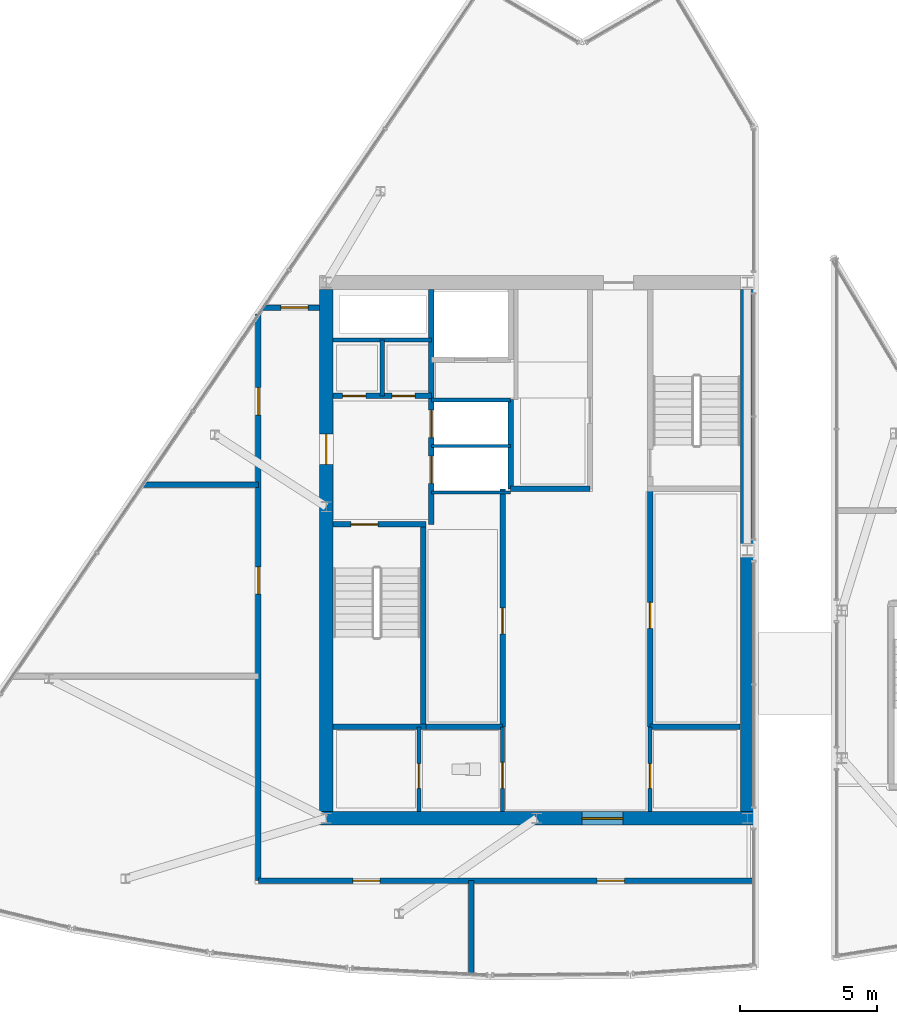
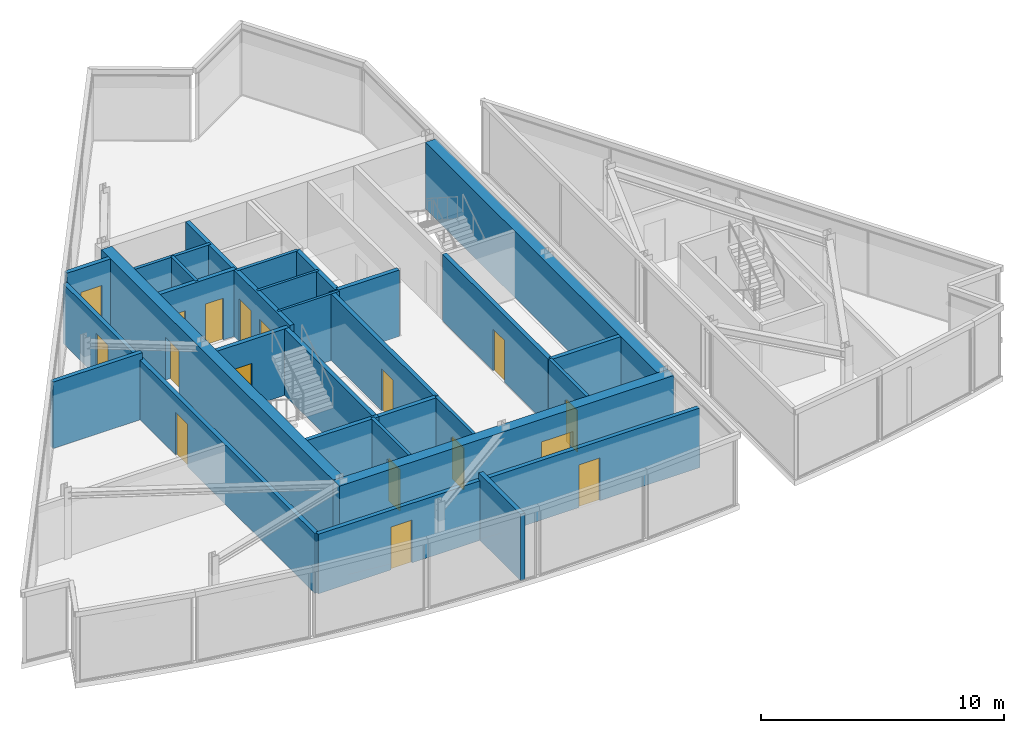
# One storey, part 9 of 15: 27 walls, 17 doors, 17 openings.
"""IFC4 building model written with IfcOpenShell, lengths in metres."""

from ifc_helpers import new_model, si_unit, direction, frame, frame_2d, origin, place, context, subcontext, project, spatial, rectangle, extrude, material, layer, layer_set, type_object, element, fill, save


model = new_model("IFC4")

# Units and contexts
model_context = context("Model", 3, precision=1e-05, world=origin(), true_north=direction((0.0, 1.0)))
body_context = subcontext(model_context, "Body", "Model", "MODEL_VIEW")
ifc_project = project(units=[si_unit("LENGTHUNIT", "METRE"), si_unit("AREAUNIT", "SQUARE_METRE"), si_unit("VOLUMEUNIT", "CUBIC_METRE"), si_unit("PLANEANGLEUNIT", "RADIAN"), si_unit("MASSUNIT", "GRAM", prefix="KILO")], contexts=[model_context])

# Site, building, storey
site_placement = place(None, origin())
site = spatial("IfcSite", under=ifc_project, at=site_placement, CompositionType="ELEMENT")
building_placement = place(site_placement, origin())
building = spatial("IfcBuilding", under=site, at=building_placement, Name="Savorim Split Tower", CompositionType="ELEMENT")
storey_placement = place(building_placement, frame((0.0, 0.0, 301.199951171875)))
storey = spatial("IfcBuildingStorey", under=building, at=storey_placement, Name="Crown L80 Plant", CompositionType="ELEMENT", Elevation=301.199951171875)

# Wall, opening, door
ifc_material_1 = material(Name="Concrete C60/75", Category="concrete")
ifc_layer_1 = layer(ifc_material_1, 0.5)
ifc_layer_set_1 = layer_set([ifc_layer_1], Name="WAL-COR-SH500")
wall_type_1 = type_object("IfcWallType", Name="WAL-COR-SH500", PredefinedType="SHEAR", material=ifc_layer_set_1)
wall_1_placement = place(storey_placement, frame((-7.949951171875, -9.39990234375, 0.0), z_axis=(0.0, 0.0, 1.0), x_axis=(1.0, 0.0, 0.0)))
wall_1 = element("IfcWall", 1, at=wall_1_placement, inside=storey, type_object=wall_type_1, Name="Crown L80 Plant Offset Core South Shear Wall", PredefinedType="SHEAR", context=body_context, shape_type="SweptSolid", body=[
    extrude(rectangle(XDim=15.89990234375, YDim=0.5, at=frame_2d((7.949951171875, 0.0))), origin(), (0.0, 0.0, 1.0), 3.340087890625),
])
opening_1_placement = place(wall_1_placement, frame((9.60009765625, 0.0, 0.0)))
opening_1 = element("IfcOpeningElement", 2, at=opening_1_placement, cuts=wall_1, Name="Opening DI-02", PredefinedType="OPENING", context=body_context, shape_type="SweptSolid", body=[
    extrude(rectangle(XDim=1.5, YDim=2.199951171875, at=frame_2d((0.75, 1.10009765625))), frame((0.0, 0.260009765625, 0.0), z_axis=(0.0, -1.0, 0.0), x_axis=(1.0, 0.0, 0.0)), (0.0, 0.0, 1.0), 0.52001953125),
])
ifc_material_2 = material(Name="Timber Fire Door Leaf", Category="wood")
door_type_1 = type_object("IfcDoorType", Name="DOR-DBL-1500", OperationType="NOTDEFINED", PredefinedType="DOOR", material=ifc_material_2)
door_1_placement = place(opening_1_placement, origin())
door_1 = element("IfcDoor", 3, at=door_1_placement, inside=storey, type_object=door_type_1, Name="DOR-Crown-L80-Plant-COR-LLOB - Crown L80 Plant Lift Lobby Main Rated Door", OperationType="DOUBLE_DOOR_SINGLE_SWING", OverallHeight=2.199951171875, OverallWidth=1.5, PredefinedType="DOOR", context=body_context, shape_type="SweptSolid", body=[
    extrude(rectangle(XDim=1.5, YDim=2.199951171875, at=frame_2d((0.75, 1.10009765625))), frame((0.0, 0.02490234375, 0.0), z_axis=(0.0, -1.0, 0.0), x_axis=(1.0, 0.0, 0.0)), (0.0, 0.0, 1.0), 0.050048828125),
])
fill(opening_1, door_1)

wall_2_placement = place(storey_placement, frame((-7.699951171875, -9.14990234375, 0.0), z_axis=(0.0, 0.0, 1.0), x_axis=(0.0, 1.0, 0.0)))
wall_2 = element("IfcWall", 4, at=wall_2_placement, inside=storey, type_object=wall_type_1, Name="Crown L80 Plant Offset Core West Shear Wall", PredefinedType="SHEAR", context=body_context, shape_type="SweptSolid", body=[
    extrude(rectangle(XDim=19.099853515625, YDim=0.5, at=frame_2d((9.5498046875, 0.0))), origin(), (0.0, 0.0, 1.0), 3.340087890625),
])
opening_2_placement = place(wall_2_placement, frame((12.699951171875, 0.0, 0.0)))
opening_2 = element("IfcOpeningElement", 5, at=opening_2_placement, cuts=wall_2, Name="Opening DI-03", PredefinedType="OPENING", context=body_context, shape_type="SweptSolid", body=[
    extrude(rectangle(XDim=1.10009765625, YDim=2.14990234375, at=frame_2d((0.550048828125, 1.074951171875))), frame((0.0, 0.260009765625, 0.0), z_axis=(0.0, -1.0, 0.0), x_axis=(1.0, 0.0, 0.0)), (0.0, 0.0, 1.0), 0.52001953125),
])
door_type_2 = type_object("IfcDoorType", Name="DOR-FIR-1100", OperationType="NOTDEFINED", PredefinedType="DOOR", material=ifc_material_2)
door_2_placement = place(opening_2_placement, origin())
door_2 = element("IfcDoor", 6, at=door_2_placement, inside=storey, type_object=door_type_2, Name="DOR-Crown-L80-Plant-COR-FFLOB - Crown L80 Plant Firefighting Lobby Corridor Door", OperationType="SINGLE_SWING_RIGHT", OverallHeight=2.14990234375, OverallWidth=1.10009765625, PredefinedType="DOOR", context=body_context, shape_type="SweptSolid", body=[
    extrude(rectangle(XDim=1.10009765625, YDim=2.14990234375, at=frame_2d((0.550048828125, 1.074951171875))), frame((0.0, 0.02490234375, 0.0), z_axis=(0.0, -1.0, 0.0), x_axis=(1.0, 0.0, 0.0)), (0.0, 0.0, 1.0), 0.050048828125),
])
fill(opening_2, door_2)

# Wall
wall_3_placement = place(storey_placement, frame((7.699951171875, 9.949951171875, 0.0), z_axis=(0.0, 0.0, 1.0), x_axis=(0.0, -1.0, 0.0)))
element("IfcWall", 7, at=wall_3_placement, inside=storey, type_object=wall_type_1, Name="Crown L80 Plant Offset Core East Shear Wall", PredefinedType="SHEAR", context=body_context, shape_type="SweptSolid", body=[
    extrude(rectangle(XDim=19.099853515625, YDim=0.5, at=frame_2d((9.5498046875, 0.0))), origin(), (0.0, 0.0, 1.0), 3.340087890625),
])

# Wall, opening, door
ifc_material_3 = material(Name="Concrete C50/60", Category="concrete")
ifc_layer_2 = layer(ifc_material_3, 0.199951171875)
ifc_layer_set_2 = layer_set([ifc_layer_2], Name="WAL-INT-RC200")
wall_type_2 = type_object("IfcWallType", Name="WAL-INT-RC200", PredefinedType="SOLIDWALL", material=ifc_layer_set_2)
wall_4_placement = place(storey_placement, frame((-7.449951171875, 1.35009765625, 0.0), z_axis=(0.0, 0.0, 1.0), x_axis=(1.0, 0.0, 0.0)))
wall_4 = element("IfcWall", 8, at=wall_4_placement, inside=storey, type_object=wall_type_2, Name="Crown L80 Plant Structural Shaft Wall W-Crown-L80-Plant-CR01", PredefinedType="SOLIDWALL", context=body_context, shape_type="SweptSolid", body=[
    extrude(rectangle(XDim=3.39990234375, YDim=0.199951171875, at=frame_2d((1.699951171875, 0.0))), origin(), (0.0, 0.0, 1.0), 3.340087890625),
])
opening_3_placement = place(wall_4_placement, frame((0.64990234375, 0.0, 0.0)))
opening_3 = element("IfcOpeningElement", 9, at=opening_3_placement, cuts=wall_4, Name="Opening DI-04", PredefinedType="OPENING", context=body_context, shape_type="SweptSolid", body=[
    extrude(rectangle(XDim=1.0, YDim=2.14990234375, at=frame_2d((0.5, 1.074951171875))), frame((0.0, 0.10986328125, 0.0), z_axis=(0.0, -1.0, 0.0), x_axis=(1.0, 0.0, 0.0)), (0.0, 0.0, 1.0), 0.219970703125),
])
door_type_3 = type_object("IfcDoorType", Name="DOR-FIR-1000", OperationType="NOTDEFINED", PredefinedType="DOOR", material=ifc_material_2)
door_3_placement = place(opening_3_placement, origin())
door_3 = element("IfcDoor", 10, at=door_3_placement, inside=storey, type_object=door_type_3, Name="DR-Crown-L80-Plant-ST1 - Crown L80 Plant Stair ST-1 Enclosure Door", OperationType="SINGLE_SWING_LEFT", OverallHeight=2.14990234375, OverallWidth=1.0, PredefinedType="DOOR", context=body_context, shape_type="SweptSolid", body=[
    extrude(rectangle(XDim=1.0, YDim=2.14990234375, at=frame_2d((0.5, 1.074951171875))), frame((0.0, 0.02490234375, 0.0), z_axis=(0.0, -1.0, 0.0), x_axis=(1.0, 0.0, 0.0)), (0.0, 0.0, 1.0), 0.050048828125),
])
fill(opening_3, door_3)

# Wall
wall_5_placement = place(storey_placement, frame((-4.14990234375, -5.949951171875, 0.0), z_axis=(0.0, 0.0, 1.0), x_axis=(0.0, 1.0, 0.0)))
element("IfcWall", 11, at=wall_5_placement, inside=storey, type_object=wall_type_2, Name="Crown L80 Plant Structural Shaft Wall W-Crown-L80-Plant-CR02", PredefinedType="SOLIDWALL", context=body_context, shape_type="SweptSolid", body=[
    extrude(rectangle(XDim=7.199951171875, YDim=0.199951171875, at=frame_2d((3.60009765625, 0.0))), origin(), (0.0, 0.0, 1.0), 3.340087890625),
])

# Wall, openings, doors
wall_6_placement = place(storey_placement, frame((-3.85009765625, 1.35009765625, 0.0), z_axis=(0.0, 0.0, 1.0), x_axis=(0.0, 1.0, 0.0)))
wall_6 = element("IfcWall", 12, at=wall_6_placement, inside=storey, type_object=wall_type_2, Name="Crown L80 Plant Partition W-Crown-L80-Plant-CR03", PredefinedType="SOLIDWALL", context=body_context, shape_type="SweptSolid", body=[
    extrude(rectangle(XDim=8.594970703125, YDim=0.199951171875, at=frame_2d((4.29736328125, 0.0))), origin(), (0.0, 0.0, 1.0), 3.340087890625),
])
opening_4_placement = place(wall_6_placement, frame((1.5, 0.0, 0.0)))
opening_4 = element("IfcOpeningElement", 13, at=opening_4_placement, cuts=wall_6, Name="Opening LD-FFL", PredefinedType="OPENING", context=body_context, shape_type="SweptSolid", body=[
    extrude(rectangle(XDim=1.0, YDim=2.14990234375, at=frame_2d((0.5, 1.074951171875))), frame((0.0, 0.10986328125, 0.0), z_axis=(0.0, -1.0, 0.0), x_axis=(1.0, 0.0, 0.0)), (0.0, 0.0, 1.0), 0.219970703125),
])
opening_5_placement = place(wall_6_placement, frame((3.179931640625, 0.0, 0.0)))
opening_5 = element("IfcOpeningElement", 14, at=opening_5_placement, cuts=wall_6, Name="Opening LD-FFL", PredefinedType="OPENING", context=body_context, shape_type="SweptSolid", body=[
    extrude(rectangle(XDim=1.0, YDim=2.14990234375, at=frame_2d((0.5, 1.074951171875))), frame((0.0, 0.10986328125, 0.0), z_axis=(0.0, -1.0, 0.0), x_axis=(1.0, 0.0, 0.0)), (0.0, 0.0, 1.0), 0.219970703125),
])
ifc_material_4 = material(Name="Charcoal Anodised Aluminium", Category="aluminium")
door_type_4 = type_object("IfcDoorType", Name="DOR-SLD-LD1000", OperationType="NOTDEFINED", PredefinedType="DOOR", material=ifc_material_4)
door_4_placement = place(opening_4_placement, origin())
door_4 = element("IfcDoor", 15, at=door_4_placement, inside=storey, type_object=door_type_4, Name="DR-Crown-L80-Plant-LD-FFL1 - Crown L80 Plant Firefighting Lift FFL-1 Sliding Landing Door", OperationType="DOUBLE_DOOR_SLIDING", OverallHeight=2.14990234375, OverallWidth=1.0, PredefinedType="DOOR", context=body_context, shape_type="SweptSolid", body=[
    extrude(rectangle(XDim=1.0, YDim=2.14990234375, at=frame_2d((0.5, 1.074951171875))), frame((0.0, 0.02490234375, 0.0), z_axis=(0.0, -1.0, 0.0), x_axis=(1.0, 0.0, 0.0)), (0.0, 0.0, 1.0), 0.050048828125),
])
fill(opening_4, door_4)
door_5_placement = place(opening_5_placement, origin())
door_5 = element("IfcDoor", 16, at=door_5_placement, inside=storey, type_object=door_type_4, Name="DR-Crown-L80-Plant-LD-FFL2 - Crown L80 Plant Firefighting Lift FFL-2 Sliding Landing Door", OperationType="DOUBLE_DOOR_SLIDING", OverallHeight=2.14990234375, OverallWidth=1.0, PredefinedType="DOOR", context=body_context, shape_type="SweptSolid", body=[
    extrude(rectangle(XDim=1.0, YDim=2.14990234375, at=frame_2d((0.5, 1.074951171875))), frame((0.0, 0.02490234375, 0.0), z_axis=(0.0, -1.0, 0.0), x_axis=(1.0, 0.0, 0.0)), (0.0, 0.0, 1.0), 0.050048828125),
])
fill(opening_5, door_5)

wall_7_placement = place(storey_placement, frame((-7.445068359375, 6.050048828125, 0.0), z_axis=(0.0, 0.0, 1.0), x_axis=(1.0, 0.0, 0.0)))
wall_7 = element("IfcWall", 17, at=wall_7_placement, inside=storey, type_object=wall_type_2, Name="Crown L80 Plant Partition W-Crown-L80-Plant-CR04", PredefinedType="SOLIDWALL", context=body_context, shape_type="SweptSolid", body=[
    extrude(rectangle(XDim=3.594970703125, YDim=0.199951171875, at=frame_2d((1.79736328125, 0.0))), origin(), (0.0, 0.0, 1.0), 3.340087890625),
])
opening_6_placement = place(wall_7_placement, frame((0.344970703125, 0.0, 0.0)))
opening_6 = element("IfcOpeningElement", 18, at=opening_6_placement, cuts=wall_7, Name="Opening DI-12", PredefinedType="OPENING", context=body_context, shape_type="SweptSolid", body=[
    extrude(rectangle(XDim=0.85009765625, YDim=2.10009765625, at=frame_2d((0.425048828125, 1.050048828125))), frame((0.0, 0.10986328125, 0.0), z_axis=(0.0, -1.0, 0.0), x_axis=(1.0, 0.0, 0.0)), (0.0, 0.0, 1.0), 0.219970703125),
])
opening_7_placement = place(wall_7_placement, frame((2.14501953125, 0.0, 0.0)))
opening_7 = element("IfcOpeningElement", 19, at=opening_7_placement, cuts=wall_7, Name="Opening DI-12", PredefinedType="OPENING", context=body_context, shape_type="SweptSolid", body=[
    extrude(rectangle(XDim=0.85009765625, YDim=2.10009765625, at=frame_2d((0.425048828125, 1.050048828125))), frame((0.0, 0.10986328125, 0.0), z_axis=(0.0, -1.0, 0.0), x_axis=(1.0, 0.0, 0.0)), (0.0, 0.0, 1.0), 0.219970703125),
])
ifc_material_5 = material(Name="Galvanised Painted Steel Balustrade", Category="steel")
door_type_5 = type_object("IfcDoorType", Name="DOR-RIS-850", OperationType="NOTDEFINED", PredefinedType="DOOR", material=ifc_material_5)
door_6_placement = place(opening_6_placement, origin())
door_6 = element("IfcDoor", 20, at=door_6_placement, inside=storey, type_object=door_type_5, Name="DR-Crown-L80-Plant-ELR - Crown L80 Plant Electrical Riser Access Door", OperationType="SINGLE_SWING_RIGHT", OverallHeight=2.10009765625, OverallWidth=0.85009765625, PredefinedType="DOOR", context=body_context, shape_type="SweptSolid", body=[
    extrude(rectangle(XDim=0.85009765625, YDim=2.10009765625, at=frame_2d((0.425048828125, 1.050048828125))), frame((0.0, 0.02490234375, 0.0), z_axis=(0.0, -1.0, 0.0), x_axis=(1.0, 0.0, 0.0)), (0.0, 0.0, 1.0), 0.050048828125),
])
fill(opening_6, door_6)
door_7_placement = place(opening_7_placement, origin())
door_7 = element("IfcDoor", 21, at=door_7_placement, inside=storey, type_object=door_type_5, Name="DR-Crown-L80-Plant-TLR - Crown L80 Plant Telecom Riser Access Door", OperationType="SINGLE_SWING_LEFT", OverallHeight=2.10009765625, OverallWidth=0.85009765625, PredefinedType="DOOR", context=body_context, shape_type="SweptSolid", body=[
    extrude(rectangle(XDim=0.85009765625, YDim=2.10009765625, at=frame_2d((0.425048828125, 1.050048828125))), frame((0.0, 0.02490234375, 0.0), z_axis=(0.0, -1.0, 0.0), x_axis=(1.0, 0.0, 0.0)), (0.0, 0.0, 1.0), 0.050048828125),
])
fill(opening_7, door_7)

# Wall
wall_8_placement = place(storey_placement, frame((-0.949951171875, 2.64990234375, 0.0), z_axis=(0.0, 0.0, 1.0), x_axis=(0.0, 1.0, 0.0)))
element("IfcWall", 22, at=wall_8_placement, inside=storey, type_object=wall_type_2, Name="Crown L80 Plant Partition W-Crown-L80-Plant-FFLW", PredefinedType="SOLIDWALL", context=body_context, shape_type="SweptSolid", body=[
    extrude(rectangle(XDim=3.27001953125, YDim=0.199951171875, at=frame_2d((1.635009765625, 0.0))), origin(), (0.0, 0.0, 1.0), 3.340087890625),
])

# Wall, opening, door
wall_9_placement = place(storey_placement, frame((4.14990234375, -6.050048828125, 0.0), z_axis=(0.0, 0.0, 1.0), x_axis=(0.0, 1.0, 0.0)))
wall_9 = element("IfcWall", 23, at=wall_9_placement, inside=storey, type_object=wall_type_2, Name="Crown L80 Plant Partition W-Crown-L80-Plant-B1FRONT", PredefinedType="SOLIDWALL", context=body_context, shape_type="SweptSolid", body=[
    extrude(rectangle(XDim=8.699951171875, YDim=0.199951171875, at=frame_2d((4.35009765625, 0.0))), origin(), (0.0, 0.0, 1.0), 3.340087890625),
])
opening_8_placement = place(wall_9_placement, frame((3.60009765625, 0.0, 0.0)))
opening_8 = element("IfcOpeningElement", 24, at=opening_8_placement, cuts=wall_9, Name="Opening DI-05", PredefinedType="OPENING", context=body_context, shape_type="SweptSolid", body=[
    extrude(rectangle(XDim=0.949951171875, YDim=2.10009765625, at=frame_2d((0.47509765625, 1.050048828125))), frame((0.0, 0.10986328125, 0.0), z_axis=(0.0, -1.0, 0.0), x_axis=(1.0, 0.0, 0.0)), (0.0, 0.0, 1.0), 0.219970703125),
])
door_type_6 = type_object("IfcDoorType", Name="DOR-FIR-950", OperationType="NOTDEFINED", PredefinedType="DOOR", material=ifc_material_2)
door_8_placement = place(opening_8_placement, origin())
door_8 = element("IfcDoor", 25, at=door_8_placement, inside=storey, type_object=door_type_6, Name="DR-Crown-L80-Plant-B1SUB - Crown L80 Plant Core Store East Door", OperationType="SINGLE_SWING_RIGHT", OverallHeight=2.10009765625, OverallWidth=0.949951171875, PredefinedType="DOOR", context=body_context, shape_type="SweptSolid", body=[
    extrude(rectangle(XDim=0.949951171875, YDim=2.10009765625, at=frame_2d((0.47509765625, 1.050048828125))), frame((0.0, 0.02490234375, 0.0), z_axis=(0.0, -1.0, 0.0), x_axis=(1.0, 0.0, 0.0)), (0.0, 0.0, 1.0), 0.050048828125),
])
fill(opening_8, door_8)

wall_10_placement = place(storey_placement, frame((-1.25, -6.050048828125, 0.0), z_axis=(0.0, 0.0, 1.0), x_axis=(0.0, 1.0, 0.0)))
wall_10 = element("IfcWall", 26, at=wall_10_placement, inside=storey, type_object=wall_type_2, Name="Crown L80 Plant Partition W-Crown-L80-Plant-B2FRONT", PredefinedType="SOLIDWALL", context=body_context, shape_type="SweptSolid", body=[
    extrude(rectangle(XDim=8.699951171875, YDim=0.199951171875, at=frame_2d((4.35009765625, 0.0))), origin(), (0.0, 0.0, 1.0), 3.340087890625),
])
opening_9_placement = place(wall_10_placement, frame((3.39990234375, 0.0, 0.0)))
opening_9 = element("IfcOpeningElement", 27, at=opening_9_placement, cuts=wall_10, Name="Opening DI-05", PredefinedType="OPENING", context=body_context, shape_type="SweptSolid", body=[
    extrude(rectangle(XDim=0.949951171875, YDim=2.10009765625, at=frame_2d((0.47509765625, 1.050048828125))), frame((0.0, 0.10986328125, 0.0), z_axis=(0.0, -1.0, 0.0), x_axis=(1.0, 0.0, 0.0)), (0.0, 0.0, 1.0), 0.219970703125),
])
door_9_placement = place(opening_9_placement, origin())
door_9 = element("IfcDoor", 28, at=door_9_placement, inside=storey, type_object=door_type_6, Name="DR-Crown-L80-Plant-B2SUB - Crown L80 Plant Core Store West Door", OperationType="SINGLE_SWING_LEFT", OverallHeight=2.10009765625, OverallWidth=0.949951171875, PredefinedType="DOOR", context=body_context, shape_type="SweptSolid", body=[
    extrude(rectangle(XDim=0.949951171875, YDim=2.10009765625, at=frame_2d((0.47509765625, 1.050048828125))), frame((0.0, 0.02490234375, 0.0), z_axis=(0.0, -1.0, 0.0), x_axis=(1.0, 0.0, 0.0)), (0.0, 0.0, 1.0), 0.050048828125),
])
fill(opening_9, door_9)

# Walls
wall_11_placement = place(storey_placement, frame((-0.949951171875, 2.64990234375, 0.0), z_axis=(0.0, 0.0, 1.0), x_axis=(1.0, 0.0, 0.0)))
element("IfcWall", 29, at=wall_11_placement, inside=storey, type_object=wall_type_2, Name="Crown L80 Plant Partition W-Crown-L80-Plant-B3SOUTH", PredefinedType="SOLIDWALL", context=body_context, shape_type="SweptSolid", body=[
    extrude(rectangle(XDim=2.89990234375, YDim=0.199951171875, at=frame_2d((1.449951171875, 0.0))), origin(), (0.0, 0.0, 1.0), 3.340087890625),
])
wall_12_placement = place(storey_placement, frame((-7.449951171875, -6.050048828125, 0.0), z_axis=(0.0, 0.0, 1.0), x_axis=(1.0, 0.0, 0.0)))
element("IfcWall", 30, at=wall_12_placement, inside=storey, type_object=wall_type_2, Name="Crown L80 Plant Structural Shaft Wall W-Crown-L80-Plant-KSEP-W", PredefinedType="SOLIDWALL", context=body_context, shape_type="SweptSolid", body=[
    extrude(rectangle(XDim=3.39990234375, YDim=0.199951171875, at=frame_2d((1.699951171875, 0.0))), origin(), (0.0, 0.0, 1.0), 3.340087890625),
])
wall_13_placement = place(storey_placement, frame((-4.0400390625, -6.050048828125, 0.0), z_axis=(0.0, 0.0, 1.0), x_axis=(1.0, 0.0, 0.0)))
element("IfcWall", 31, at=wall_13_placement, inside=storey, type_object=wall_type_2, Name="Crown L80 Plant Partition W-Crown-L80-Plant-KSEP-W2", PredefinedType="SOLIDWALL", context=body_context, shape_type="SweptSolid", body=[
    extrude(rectangle(XDim=2.7900390625, YDim=0.199951171875, at=frame_2d((1.39501953125, 0.0))), origin(), (0.0, 0.0, 1.0), 3.340087890625),
])
wall_14_placement = place(storey_placement, frame((4.14990234375, -6.050048828125, 0.0), z_axis=(0.0, 0.0, 1.0), x_axis=(1.0, 0.0, 0.0)))
element("IfcWall", 32, at=wall_14_placement, inside=storey, type_object=wall_type_2, Name="Crown L80 Plant Partition W-Crown-L80-Plant-KSEP-E", PredefinedType="SOLIDWALL", context=body_context, shape_type="SweptSolid", body=[
    extrude(rectangle(XDim=3.295166015625, YDim=0.199951171875, at=frame_2d((1.6474609375, 0.0))), origin(), (0.0, 0.0, 1.0), 3.340087890625),
])

# Wall, openings, doors
wall_15_placement = place(storey_placement, frame((-10.179931640625, -11.679931640625, 0.0), z_axis=(0.0, 0.0, 1.0), x_axis=(0.0, 1.0, 0.0)))
wall_15 = element("IfcWall", 33, at=wall_15_placement, inside=storey, type_object=wall_type_2, Name="Crown L80 Plant Partition W-Crown-L80-Plant-CWPC1", PredefinedType="SOLIDWALL", context=body_context, shape_type="SweptSolid", body=[
    extrude(rectangle(XDim=20.71875, YDim=0.199951171875, at=frame_2d((10.359375, 0.0))), origin(), (0.0, 0.0, 1.0), 2.9951171875),
])
opening_10_placement = place(wall_15_placement, frame((10.47998046875, 0.0, 0.0)))
opening_10 = element("IfcOpeningElement", 34, at=opening_10_placement, cuts=wall_15, Name="Opening DI-04", PredefinedType="OPENING", context=body_context, shape_type="SweptSolid", body=[
    extrude(rectangle(XDim=1.0, YDim=2.14990234375, at=frame_2d((0.5, 1.074951171875))), frame((0.0, 0.10986328125, 0.0), z_axis=(0.0, -1.0, 0.0), x_axis=(1.0, 0.0, 0.0)), (0.0, 0.0, 1.0), 0.219970703125),
])
opening_11_placement = place(wall_15_placement, frame((17.033203125, 0.0, 0.0)))
opening_11 = element("IfcOpeningElement", 35, at=opening_11_placement, cuts=wall_15, Name="Opening DI-04", PredefinedType="OPENING", context=body_context, shape_type="SweptSolid", body=[
    extrude(rectangle(XDim=1.0, YDim=2.14990234375, at=frame_2d((0.5, 1.074951171875))), frame((0.0, 0.10986328125, 0.0), z_axis=(0.0, -1.0, 0.0), x_axis=(1.0, 0.0, 0.0)), (0.0, 0.0, 1.0), 0.219970703125),
])
door_10_placement = place(opening_10_placement, origin())
door_10 = element("IfcDoor", 36, at=door_10_placement, inside=storey, type_object=door_type_3, Name="DR-Crown-L80-Plant-RM01 - Crown L80 Plant AHU Mechanical Plant Room Entry Door", OperationType="SINGLE_SWING_RIGHT", OverallHeight=2.14990234375, OverallWidth=1.0, PredefinedType="DOOR", context=body_context, shape_type="SweptSolid", body=[
    extrude(rectangle(XDim=1.0, YDim=2.14990234375, at=frame_2d((0.5, 1.074951171875))), frame((0.0, 0.02490234375, 0.0), z_axis=(0.0, -1.0, 0.0), x_axis=(1.0, 0.0, 0.0)), (0.0, 0.0, 1.0), 0.050048828125),
])
fill(opening_10, door_10)
door_11_placement = place(opening_11_placement, origin())
door_11 = element("IfcDoor", 37, at=door_11_placement, inside=storey, type_object=door_type_3, Name="DR-Crown-L80-Plant-RM05 - Crown L80 Plant Heat Recovery Plant Room Entry Door", OperationType="SINGLE_SWING_RIGHT", OverallHeight=2.14990234375, OverallWidth=1.0, PredefinedType="DOOR", context=body_context, shape_type="SweptSolid", body=[
    extrude(rectangle(XDim=1.0, YDim=2.14990234375, at=frame_2d((0.5, 1.074951171875))), frame((0.0, 0.02490234375, 0.0), z_axis=(0.0, -1.0, 0.0), x_axis=(1.0, 0.0, 0.0)), (0.0, 0.0, 1.0), 0.050048828125),
])
fill(opening_11, door_11)

wall_16_placement = place(storey_placement, frame((-10.179931640625, -11.679931640625, 0.0), z_axis=(0.0, 0.0, 1.0), x_axis=(1.0, 0.0, 0.0)))
wall_16 = element("IfcWall", 38, at=wall_16_placement, inside=storey, type_object=wall_type_2, Name="Crown L80 Plant Partition W-Crown-L80-Plant-CWPC2", PredefinedType="SOLIDWALL", context=body_context, shape_type="SweptSolid", body=[
    extrude(rectangle(XDim=18.1298828125, YDim=0.199951171875, at=frame_2d((9.06494140625, 0.0))), origin(), (0.0, 0.0, 1.0), 2.9951171875),
])
opening_12_placement = place(wall_16_placement, frame((3.456298828125, 0.0, 0.0)))
opening_12 = element("IfcOpeningElement", 39, at=opening_12_placement, cuts=wall_16, Name="Opening DI-04", PredefinedType="OPENING", context=body_context, shape_type="SweptSolid", body=[
    extrude(rectangle(XDim=1.0, YDim=2.14990234375, at=frame_2d((0.5, 1.074951171875))), frame((0.0, 0.10986328125, 0.0), z_axis=(0.0, -1.0, 0.0), x_axis=(1.0, 0.0, 0.0)), (0.0, 0.0, 1.0), 0.219970703125),
])
opening_13_placement = place(wall_16_placement, frame((12.388671875, 0.0, 0.0)))
opening_13 = element("IfcOpeningElement", 40, at=opening_13_placement, cuts=wall_16, Name="Opening DI-04", PredefinedType="OPENING", context=body_context, shape_type="SweptSolid", body=[
    extrude(rectangle(XDim=1.0, YDim=2.14990234375, at=frame_2d((0.5, 1.074951171875))), frame((0.0, 0.10986328125, 0.0), z_axis=(0.0, -1.0, 0.0), x_axis=(1.0, 0.0, 0.0)), (0.0, 0.0, 1.0), 0.219970703125),
])
door_12_placement = place(opening_12_placement, origin())
door_12 = element("IfcDoor", 41, at=door_12_placement, inside=storey, type_object=door_type_3, Name="DR-Crown-L80-Plant-RM02 - Crown L80 Plant Chiller Plant Room Entry Door", OperationType="SINGLE_SWING_LEFT", OverallHeight=2.14990234375, OverallWidth=1.0, PredefinedType="DOOR", context=body_context, shape_type="SweptSolid", body=[
    extrude(rectangle(XDim=1.0, YDim=2.14990234375, at=frame_2d((0.5, 1.074951171875))), frame((0.0, 0.02490234375, 0.0), z_axis=(0.0, -1.0, 0.0), x_axis=(1.0, 0.0, 0.0)), (0.0, 0.0, 1.0), 0.050048828125),
])
fill(opening_12, door_12)
door_13_placement = place(opening_13_placement, origin())
door_13 = element("IfcDoor", 42, at=door_13_placement, inside=storey, type_object=door_type_3, Name="DR-Crown-L80-Plant-RM03 - Crown L80 Plant Booster Pump Plant Room Entry Door", OperationType="SINGLE_SWING_RIGHT", OverallHeight=2.14990234375, OverallWidth=1.0, PredefinedType="DOOR", context=body_context, shape_type="SweptSolid", body=[
    extrude(rectangle(XDim=1.0, YDim=2.14990234375, at=frame_2d((0.5, 1.074951171875))), frame((0.0, 0.02490234375, 0.0), z_axis=(0.0, -1.0, 0.0), x_axis=(1.0, 0.0, 0.0)), (0.0, 0.0, 1.0), 0.050048828125),
])
fill(opening_13, door_13)

# Wall, opening, door
wall_17_placement = place(storey_placement, frame((-10.01611328125, 9.280029296875, 0.0), z_axis=(0.0, 0.0, 1.0), x_axis=(1.0, 0.0, 0.0)))
wall_17 = element("IfcWall", 43, at=wall_17_placement, inside=storey, type_object=wall_type_2, Name="Crown L80 Plant Partition W-Crown-L80-Plant-CWPC3", PredefinedType="SOLIDWALL", context=body_context, shape_type="SweptSolid", body=[
    extrude(rectangle(XDim=2.066162109375, YDim=0.199951171875, at=frame_2d((1.033203125, 0.0))), origin(), (0.0, 0.0, 1.0), 3.340087890625),
])
opening_14_placement = place(wall_17_placement, frame((0.657958984375, 0.0, 0.0)))
opening_14 = element("IfcOpeningElement", 44, at=opening_14_placement, cuts=wall_17, Name="Opening DI-04", PredefinedType="OPENING", context=body_context, shape_type="SweptSolid", body=[
    extrude(rectangle(XDim=1.0, YDim=2.14990234375, at=frame_2d((0.5, 1.074951171875))), frame((0.0, 0.10986328125, 0.0), z_axis=(0.0, -1.0, 0.0), x_axis=(1.0, 0.0, 0.0)), (0.0, 0.0, 1.0), 0.219970703125),
])
door_14_placement = place(opening_14_placement, origin())
door_14 = element("IfcDoor", 45, at=door_14_placement, inside=storey, type_object=door_type_3, Name="DR-Crown-L80-Plant-RM04 - Crown L80 Plant Smoke Extract Fan Plant Room Entry Door", OperationType="SINGLE_SWING_LEFT", OverallHeight=2.14990234375, OverallWidth=1.0, PredefinedType="DOOR", context=body_context, shape_type="SweptSolid", body=[
    extrude(rectangle(XDim=1.0, YDim=2.14990234375, at=frame_2d((0.5, 1.074951171875))), frame((0.0, 0.02490234375, 0.0), z_axis=(0.0, -1.0, 0.0), x_axis=(1.0, 0.0, 0.0)), (0.0, 0.0, 1.0), 0.050048828125),
])
fill(opening_14, door_14)

# Walls
wall_18_placement = place(storey_placement, frame((-14.42431640625, 2.800048828125, 0.0), z_axis=(0.0, 0.0, 1.0), x_axis=(1.0, 0.0, 0.0)))
element("IfcWall", 46, at=wall_18_placement, inside=storey, type_object=wall_type_2, Name="Crown L80 Plant Partition W-Crown-L80-Plant-CDIV2", PredefinedType="SOLIDWALL", context=body_context, shape_type="SweptSolid", body=[
    extrude(rectangle(XDim=4.244384765625, YDim=0.199951171875, at=frame_2d((2.1220703125, 0.0))), origin(), (0.0, 0.0, 1.0), 3.340087890625),
])
wall_19_placement = place(storey_placement, frame((-2.39990234375, -15.131591796875, 0.0), z_axis=(0.0, 0.0, 1.0), x_axis=(0.0, 1.0, 0.0)))
element("IfcWall", 47, at=wall_19_placement, inside=storey, type_object=wall_type_2, Name="Crown L80 Plant Partition W-Crown-L80-Plant-CDIVS", PredefinedType="SOLIDWALL", context=body_context, shape_type="SweptSolid", body=[
    extrude(rectangle(XDim=3.45166015625, YDim=0.199951171875, at=frame_2d((1.725830078125, 0.0))), origin(), (0.0, 0.0, 1.0), 3.340087890625),
])
ifc_material_6 = material(Name="Acoustic Gypsum Partition Board")
ifc_layer_3 = layer(ifc_material_6, 0.1201171875)
ifc_layer_set_3 = layer_set([ifc_layer_3], Name="WAL-PAR-120")
wall_type_3 = type_object("IfcWallType", Name="WAL-PAR-120", PredefinedType="PARTITIONING", material=ifc_layer_set_3)
for number, where, z_axis, x_axis, name in (
    (48, (-3.85009765625, 2.52001953125, 0.0), (0.0, 0.0, 1.0), (1.0, 0.0, 0.0), "Crown L80 Plant Partition W-Crown-L80-Plant-FFLD0"),
    (49, (-3.85009765625, 4.219970703125, 0.0), (0.0, 0.0, 1.0), (1.0, 0.0, 0.0), "Crown L80 Plant Partition W-Crown-L80-Plant-FFLD1"),
):
    element("IfcWall", number, at=place(storey_placement, frame(where, z_axis=z_axis, x_axis=x_axis)), inside=storey, type_object=wall_type_3, Name=name, PredefinedType="PARTITIONING", context=body_context, shape_type="SweptSolid", body=[
        extrude(rectangle(XDim=2.900146484375, YDim=0.1201171875, at=frame_2d((1.4501953125, 0.0))), origin(), (0.0, 0.0, 1.0), 3.340087890625),
    ])
ifc_layer_4 = layer(ifc_material_6, 0.14990234375)
ifc_layer_set_4 = layer_set([ifc_layer_4], Name="WAL-PAR-150")
wall_type_4 = type_object("IfcWallType", Name="WAL-PAR-150", PredefinedType="PARTITIONING", material=ifc_layer_set_4)
wall_20_placement = place(storey_placement, frame((-7.445068359375, 8.10009765625, 0.0), z_axis=(0.0, 0.0, 1.0), x_axis=(1.0, 0.0, 0.0)))
element("IfcWall", 50, at=wall_20_placement, inside=storey, type_object=wall_type_4, Name="Crown L80 Plant Partition W-Crown-L80-Plant-CR05", PredefinedType="PARTITIONING", context=body_context, shape_type="SweptSolid", body=[
    extrude(rectangle(XDim=3.594970703125, YDim=0.14990234375, at=frame_2d((1.79736328125, 0.0))), origin(), (0.0, 0.0, 1.0), 3.340087890625),
])
wall_21_placement = place(storey_placement, frame((-5.64990234375, 6.050048828125, 0.0), z_axis=(0.0, 0.0, 1.0), x_axis=(0.0, 1.0, 0.0)))
element("IfcWall", 51, at=wall_21_placement, inside=storey, type_object=wall_type_4, Name="Crown L80 Plant Partition W-Crown-L80-Plant-CR06", PredefinedType="PARTITIONING", context=body_context, shape_type="SweptSolid", body=[
    extrude(rectangle(XDim=2.050048828125, YDim=0.14990234375, at=frame_2d((1.02490234375, 0.0))), origin(), (0.0, 0.0, 1.0), 3.340087890625),
])
wall_22_placement = place(storey_placement, frame((-3.85009765625, 5.89990234375, 0.0), z_axis=(0.0, 0.0, 1.0), x_axis=(1.0, 0.0, 0.0)))
element("IfcWall", 52, at=wall_22_placement, inside=storey, type_object=wall_type_4, Name="Crown L80 Plant Partition W-Crown-L80-Plant-FFLD2", PredefinedType="PARTITIONING", context=body_context, shape_type="SweptSolid", body=[
    extrude(rectangle(XDim=2.900146484375, YDim=0.14990234375, at=frame_2d((1.4501953125, 0.0))), origin(), (0.0, 0.0, 1.0), 3.340087890625),
])

# Wall, opening, door
wall_23_placement = place(storey_placement, frame((-1.25, -9.14501953125, 0.0), z_axis=(0.0, 0.0, 1.0), x_axis=(0.0, 1.0, 0.0)))
wall_23 = element("IfcWall", 53, at=wall_23_placement, inside=storey, type_object=wall_type_4, Name="Crown L80 Plant Partition W-Crown-L80-Plant-KLOB-W", PredefinedType="PARTITIONING", context=body_context, shape_type="SweptSolid", body=[
    extrude(rectangle(XDim=3.094970703125, YDim=0.14990234375, at=frame_2d((1.54736328125, 0.0))), origin(), (0.0, 0.0, 1.0), 3.340087890625),
])
opening_15_placement = place(wall_23_placement, frame((0.844970703125, 0.0, 0.0)))
opening_15 = element("IfcOpeningElement", 54, at=opening_15_placement, cuts=wall_23, Name="Opening DI-10", PredefinedType="OPENING", context=body_context, shape_type="SweptSolid", body=[
    extrude(rectangle(XDim=0.949951171875, YDim=2.10009765625, at=frame_2d((0.47509765625, 1.050048828125))), frame((0.0, 0.0849609375, 0.0), z_axis=(0.0, -1.0, 0.0), x_axis=(1.0, 0.0, 0.0)), (0.0, 0.0, 1.0), 0.169921875),
])
ifc_material_7 = material(Name="Oak Veneer Acoustic Door")
door_type_7 = type_object("IfcDoorType", Name="DOR-WC-950", OperationType="NOTDEFINED", PredefinedType="DOOR", material=ifc_material_7)
door_15_placement = place(opening_15_placement, origin())
door_15 = element("IfcDoor", 55, at=door_15_placement, inside=storey, type_object=door_type_7, Name="DR-Crown-L80-Plant-K1WC - Crown L80 Plant Core Accessible WC Door", OperationType="SINGLE_SWING_LEFT", OverallHeight=2.10009765625, OverallWidth=0.949951171875, PredefinedType="DOOR", context=body_context, shape_type="SweptSolid", body=[
    extrude(rectangle(XDim=0.949951171875, YDim=2.10009765625, at=frame_2d((0.47509765625, 1.050048828125))), frame((0.0, 0.02490234375, 0.0), z_axis=(0.0, -1.0, 0.0), x_axis=(1.0, 0.0, 0.0)), (0.0, 0.0, 1.0), 0.050048828125),
])
fill(opening_15, door_15)

wall_24_placement = place(storey_placement, frame((4.14990234375, -9.14501953125, 0.0), z_axis=(0.0, 0.0, 1.0), x_axis=(0.0, 1.0, 0.0)))
wall_24 = element("IfcWall", 56, at=wall_24_placement, inside=storey, type_object=wall_type_4, Name="Crown L80 Plant Partition W-Crown-L80-Plant-KLOB-E", PredefinedType="PARTITIONING", context=body_context, shape_type="SweptSolid", body=[
    extrude(rectangle(XDim=3.094970703125, YDim=0.14990234375, at=frame_2d((1.54736328125, 0.0))), origin(), (0.0, 0.0, 1.0), 3.340087890625),
])
opening_16_placement = place(wall_24_placement, frame((0.844970703125, 0.0, 0.0)))
opening_16 = element("IfcOpeningElement", 57, at=opening_16_placement, cuts=wall_24, Name="Opening DI-06", PredefinedType="OPENING", context=body_context, shape_type="SweptSolid", body=[
    extrude(rectangle(XDim=0.89990234375, YDim=2.10009765625, at=frame_2d((0.449951171875, 1.050048828125))), frame((0.0, 0.0849609375, 0.0), z_axis=(0.0, -1.0, 0.0), x_axis=(1.0, 0.0, 0.0)), (0.0, 0.0, 1.0), 0.169921875),
])
door_type_8 = type_object("IfcDoorType", Name="DOR-FIR-900", OperationType="NOTDEFINED", PredefinedType="DOOR", material=ifc_material_2)
door_16_placement = place(opening_16_placement, origin())
door_16 = element("IfcDoor", 58, at=door_16_placement, inside=storey, type_object=door_type_8, Name="DR-Crown-L80-Plant-K1IT - Crown L80 Plant Core IT Room Door", OperationType="SINGLE_SWING_LEFT", OverallHeight=2.10009765625, OverallWidth=0.89990234375, PredefinedType="DOOR", context=body_context, shape_type="SweptSolid", body=[
    extrude(rectangle(XDim=0.89990234375, YDim=2.10009765625, at=frame_2d((0.449951171875, 1.050048828125))), frame((0.0, 0.02490234375, 0.0), z_axis=(0.0, -1.0, 0.0), x_axis=(1.0, 0.0, 0.0)), (0.0, 0.0, 1.0), 0.050048828125),
])
fill(opening_16, door_16)

wall_25_placement = place(storey_placement, frame((-4.300048828125, -9.14501953125, 0.0), z_axis=(0.0, 0.0, 1.0), x_axis=(0.0, 1.0, 0.0)))
wall_25 = element("IfcWall", 59, at=wall_25_placement, inside=storey, type_object=wall_type_4, Name="Crown L80 Plant Partition W-Crown-L80-Plant-K1W", PredefinedType="PARTITIONING", context=body_context, shape_type="SweptSolid", body=[
    extrude(rectangle(XDim=3.094970703125, YDim=0.14990234375, at=frame_2d((1.54736328125, 0.0))), origin(), (0.0, 0.0, 1.0), 3.340087890625),
])
opening_17_placement = place(wall_25_placement, frame((0.844970703125, 0.0, 0.0)))
opening_17 = element("IfcOpeningElement", 60, at=opening_17_placement, cuts=wall_25, Name="Opening DI-06", PredefinedType="OPENING", context=body_context, shape_type="SweptSolid", body=[
    extrude(rectangle(XDim=0.89990234375, YDim=2.10009765625, at=frame_2d((0.449951171875, 1.050048828125))), frame((0.0, 0.0849609375, 0.0), z_axis=(0.0, -1.0, 0.0), x_axis=(1.0, 0.0, 0.0)), (0.0, 0.0, 1.0), 0.169921875),
])
door_17_placement = place(opening_17_placement, origin())
door_17 = element("IfcDoor", 61, at=door_17_placement, inside=storey, type_object=door_type_8, Name="DR-Crown-L80-Plant-K1HK - Crown L80 Plant Housekeeping Store Door", OperationType="SINGLE_SWING_RIGHT", OverallHeight=2.10009765625, OverallWidth=0.89990234375, PredefinedType="DOOR", context=body_context, shape_type="SweptSolid", body=[
    extrude(rectangle(XDim=0.89990234375, YDim=2.10009765625, at=frame_2d((0.449951171875, 1.050048828125))), frame((0.0, 0.02490234375, 0.0), z_axis=(0.0, -1.0, 0.0), x_axis=(1.0, 0.0, 0.0)), (0.0, 0.0, 1.0), 0.050048828125),
])
fill(opening_17, door_17)

save(model, "model.ifc")
